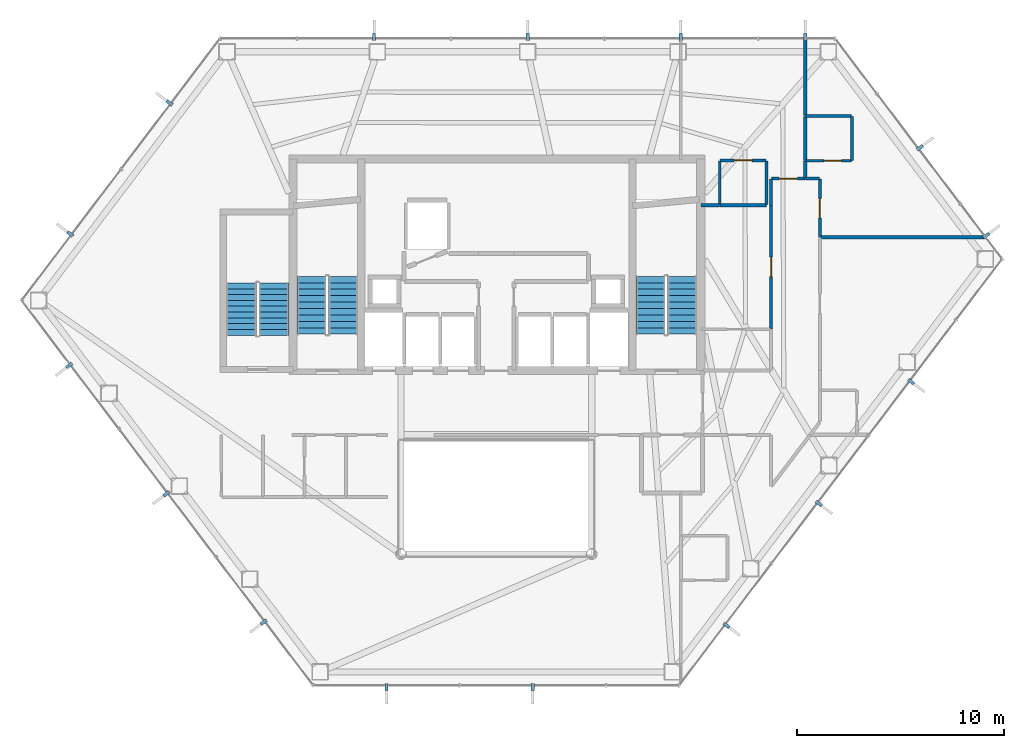
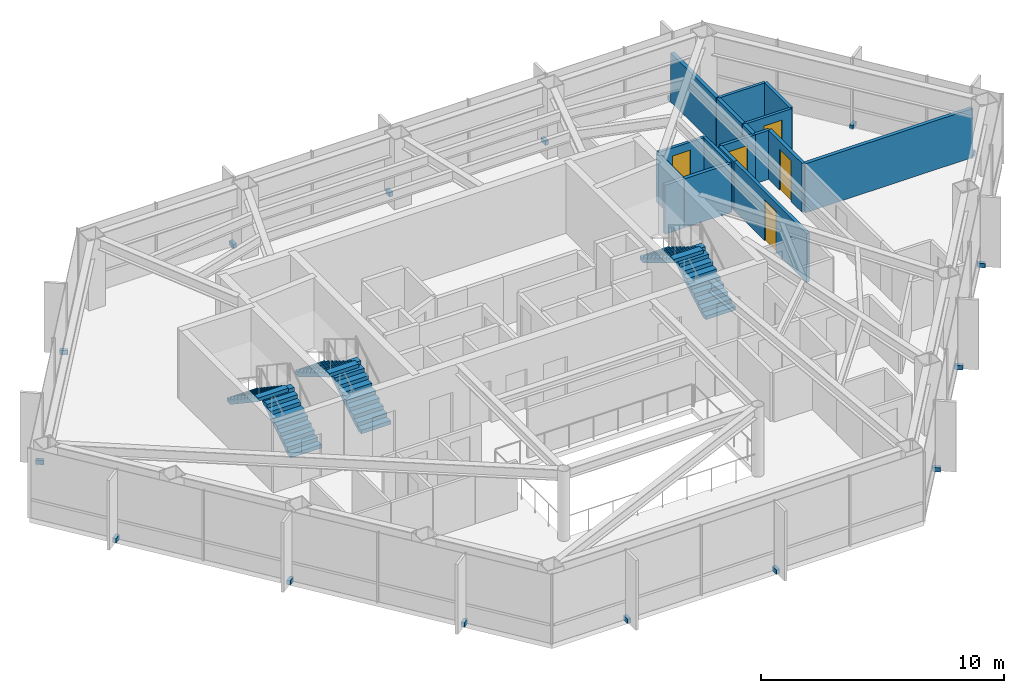
# One storey, part 27 of 28: 17 walls, 16 discrete accessories, 6 stair flights, 5 doors, 5 openings, 3 elements without a shape of their own.
"""IFC4 building model written with IfcOpenShell, lengths in metres."""

from ifc_helpers import new_model, si_unit, direction, frame, frame_2d, origin, origin_2d, place, context, subcontext, project, spatial, polyline, rectangle, outline, extrude, material, layer, layer_set, type_object, element, fill, aggregate, save


model = new_model("IFC4")

# Units and contexts
model_context = context("Model", 3, precision=1e-05, world=origin(), true_north=direction((0.0, 1.0)))
body_context = subcontext(model_context, "Body", "Model", "MODEL_VIEW")
ifc_project = project(units=[si_unit("LENGTHUNIT", "METRE"), si_unit("AREAUNIT", "SQUARE_METRE"), si_unit("VOLUMEUNIT", "CUBIC_METRE"), si_unit("PLANEANGLEUNIT", "RADIAN"), si_unit("MASSUNIT", "GRAM", prefix="KILO")], contexts=[model_context])

# Site, building, storey
site_placement = place(None, origin())
site = spatial("IfcSite", under=ifc_project, at=site_placement, CompositionType="ELEMENT")
building_placement = place(site_placement, origin())
building = spatial("IfcBuilding", under=site, at=building_placement, Name="Zarrinselat Tower", CompositionType="ELEMENT")
storey_placement = place(building_placement, frame((0.0, 0.0, 127.159912109375)))
storey = spatial("IfcBuildingStorey", under=building, at=storey_placement, Name="L30", CompositionType="ELEMENT", Elevation=127.159912109375)

# Walls
ifc_material_1 = material(Name="Fire-Rated Gypsum Board Partition", Category="gypsum")
ifc_layer_1 = layer(ifc_material_1, 0.1650390625)
ifc_layer_set_1 = layer_set([ifc_layer_1], Name="Fire-Rated Gypsum Board Partition")
wall_type_1 = type_object("IfcWallType", Name="WAL-PART-DEMISE", PredefinedType="PARTITIONING", material=ifc_layer_set_1)
wall_1_placement = place(storey_placement, frame((54.02001953125, 39.67822265625, 0.0), z_axis=(0.0, 0.0, 1.0), x_axis=(1.0, 0.0, 0.0)))
element("IfcWall", 1, at=wall_1_placement, inside=storey, type_object=wall_type_1, Name="L30 Partition Wall 53", PredefinedType="PARTITIONING", context=body_context, shape_type="SweptSolid", body=[
    extrude(rectangle(XDim=7.966552734375, YDim=0.1650390625, at=frame_2d((3.9833984375, 0.0))), origin(), (0.0, 0.0, 1.0), 2.45703125),
])
wall_2_placement = place(storey_placement, frame((53.300048828125, 42.52001953125, 0.0), z_axis=(0.0, 0.0, 1.0), x_axis=(0.0, 1.0, 0.0)))
element("IfcWall", 2, at=wall_2_placement, inside=storey, type_object=wall_type_1, Name="L30 Partition Wall 57", PredefinedType="PARTITIONING", context=body_context, shape_type="SweptSolid", body=[
    extrude(rectangle(XDim=0.827392578125, YDim=0.1650390625, at=frame_2d((0.41357421875, 0.0))), origin(), (0.0, 0.0, 1.0), 2.45703125),
])
wall_3_placement = place(storey_placement, frame((53.300048828125, 45.53759765625, 0.0), z_axis=(0.0, 0.0, 1.0), x_axis=(0.0, 1.0, 0.0)))
element("IfcWall", 3, at=wall_3_placement, inside=storey, type_object=wall_type_1, Name="L30 Partition Wall 58", PredefinedType="PARTITIONING", context=body_context, shape_type="SweptSolid", body=[
    extrude(rectangle(XDim=3.714111328125, YDim=0.1650390625, at=frame_2d((1.85693359375, 0.0))), origin(), (0.0, 0.0, 1.0), 2.45703125),
])
wall_4_placement = place(storey_placement, frame((53.300048828125, 43.387451171875, 0.0), z_axis=(0.0, 0.0, 1.0), x_axis=(0.0, 1.0, 0.0)))
element("IfcWall", 4, at=wall_4_placement, inside=storey, type_object=wall_type_1, Name="L30 Partition Wall 59", PredefinedType="PARTITIONING", context=body_context, shape_type="SweptSolid", body=[
    extrude(rectangle(XDim=2.110107421875, YDim=0.1650390625, at=frame_2d((1.05517578125, 0.0))), origin(), (0.0, 0.0, 1.0), 2.45703125),
])
wall_5_placement = place(storey_placement, frame((48.27490234375, 41.228271484375, 0.0), z_axis=(0.0, 0.0, 1.0), x_axis=(1.0, 0.0, 0.0)))
element("IfcWall", 5, at=wall_5_placement, inside=storey, type_object=wall_type_1, Name="L30 Partition Wall 61", PredefinedType="PARTITIONING", context=body_context, shape_type="SweptSolid", body=[
    extrude(rectangle(XDim=0.89501953125, YDim=0.1650390625, at=frame_2d((0.447509765625, 0.0))), origin(), (0.0, 0.0, 1.0), 2.45703125),
])
wall_6_placement = place(storey_placement, frame((49.179931640625, 41.228271484375, 0.0), z_axis=(0.0, 0.0, 1.0), x_axis=(1.0, 0.0, 0.0)))
element("IfcWall", 6, at=wall_6_placement, inside=storey, type_object=wall_type_1, Name="L30 Partition Wall 62", PredefinedType="PARTITIONING", context=body_context, shape_type="SweptSolid", body=[
    extrude(rectangle(XDim=2.239990234375, YDim=0.1650390625, at=frame_2d((1.1201171875, 0.0))), origin(), (0.0, 0.0, 1.0), 2.45703125),
])
ifc_material_2 = material(Name="Fire-Rated Gypsum Board Partition", Category="gypsum")
ifc_layer_2 = layer(ifc_material_2, 0.14990234375)
ifc_layer_set_2 = layer_set([ifc_layer_2], Name="Fire-Rated Gypsum Board Partition")
wall_type_2 = type_object("IfcWallType", Name="WAL-PART-EI60", PredefinedType="PARTITIONING", material=ifc_layer_set_2)
wall_7_placement = place(storey_placement, frame((53.304931640625, 42.5, 0.0), z_axis=(0.0, 0.0, 1.0), x_axis=(1.0, 0.0, 0.0)))
element("IfcWall", 7, at=wall_7_placement, inside=storey, type_object=wall_type_2, Name="L30 Partition Wall 27", PredefinedType="PARTITIONING", context=body_context, shape_type="SweptSolid", body=[
    extrude(rectangle(XDim=0.675048828125, YDim=0.14990234375, at=frame_2d((0.33740234375, 0.0))), origin(), (0.0, 0.0, 1.0), 2.45703125),
])

# Wall, opening, door
wall_8_placement = place(storey_placement, frame((54.0, 39.683349609375, 0.0), z_axis=(0.0, 0.0, 1.0), x_axis=(0.0, 1.0, 0.0)))
wall_8 = element("IfcWall", 8, at=wall_8_placement, inside=storey, type_object=wall_type_2, Name="L30 Partition Wall 28", PredefinedType="PARTITIONING", context=body_context, shape_type="SweptSolid", body=[
    extrude(rectangle(XDim=2.796630859375, YDim=0.14990234375, at=frame_2d((1.3984375, 0.0))), origin(), (0.0, 0.0, 1.0), 2.45703125),
])
opening_1_placement = place(wall_8_placement, frame((0.92822265625, 0.0, 0.0)))
opening_1 = element("IfcOpeningElement", 9, at=opening_1_placement, cuts=wall_8, Name="Opening ID-04", PredefinedType="OPENING", context=body_context, shape_type="SweptSolid", body=[
    extrude(rectangle(XDim=0.93994140625, YDim=2.050048828125, at=frame_2d((0.469970703125, 1.02490234375))), frame((0.0, 0.0849609375, 0.0), z_axis=(0.0, -1.0, 0.0), x_axis=(1.0, 0.0, 0.0)), (0.0, 0.0, 1.0), 0.169921875),
])
ifc_material_3 = material(Name="Fire-Rated Gypsum Board Partition")
door_type_1 = type_object("IfcDoorType", Name="DR-INT-FD30-ENT", OperationType="NOTDEFINED", PredefinedType="DOOR", material=ifc_material_3)
door_1_placement = place(opening_1_placement, origin())
door_1 = element("IfcDoor", 10, at=door_1_placement, inside=storey, type_object=door_type_1, Name="L30 Interior Door P28", OperationType="SINGLE_SWING_RIGHT", OverallHeight=2.050048828125, OverallWidth=0.93994140625, PredefinedType="DOOR", context=body_context, shape_type="SweptSolid", body=[
    extrude(rectangle(XDim=0.93994140625, YDim=2.050048828125, at=frame_2d((0.469970703125, 1.02490234375))), frame((0.0, 0.02490234375, 0.0), z_axis=(0.0, -1.0, 0.0), x_axis=(1.0, 0.0, 0.0)), (0.0, 0.0, 1.0), 0.050048828125),
])
fill(opening_1, door_1)

wall_9_placement = place(storey_placement, frame((51.64990234375, 35.24951171875, 0.0), z_axis=(0.0, 0.0, 1.0), x_axis=(0.0, 1.0, 0.0)))
wall_9 = element("IfcWall", 11, at=wall_9_placement, inside=storey, type_object=wall_type_2, Name="L30 Partition Wall 29", PredefinedType="PARTITIONING", context=body_context, shape_type="SweptSolid", body=[
    extrude(rectangle(XDim=5.993896484375, YDim=0.14990234375, at=frame_2d((2.9970703125, 0.0))), origin(), (0.0, 0.0, 1.0), 2.45703125),
])
opening_2_placement = place(wall_9_placement, frame((2.52685546875, 0.0, 0.0)))
opening_2 = element("IfcOpeningElement", 12, at=opening_2_placement, cuts=wall_9, Name="Opening ID-04", PredefinedType="OPENING", context=body_context, shape_type="SweptSolid", body=[
    extrude(rectangle(XDim=0.93994140625, YDim=2.050048828125, at=frame_2d((0.469970703125, 1.02490234375))), frame((0.0, 0.0849609375, 0.0), z_axis=(0.0, -1.0, 0.0), x_axis=(1.0, 0.0, 0.0)), (0.0, 0.0, 1.0), 0.169921875),
])
door_2_placement = place(opening_2_placement, origin())
door_2 = element("IfcDoor", 13, at=door_2_placement, inside=storey, type_object=door_type_1, Name="L30 Interior Door P29", OperationType="SINGLE_SWING_LEFT", OverallHeight=2.050048828125, OverallWidth=0.93994140625, PredefinedType="DOOR", context=body_context, shape_type="SweptSolid", body=[
    extrude(rectangle(XDim=0.93994140625, YDim=2.050048828125, at=frame_2d((0.469970703125, 1.02490234375))), frame((0.0, 0.02490234375, 0.0), z_axis=(0.0, -1.0, 0.0), x_axis=(1.0, 0.0, 0.0)), (0.0, 0.0, 1.0), 0.050048828125),
])
fill(opening_2, door_2)

# Wall
wall_10_placement = place(storey_placement, frame((51.64990234375, 41.21337890625, 0.0), z_axis=(0.0, 0.0, 1.0), x_axis=(0.0, 1.0, 0.0)))
element("IfcWall", 14, at=wall_10_placement, inside=storey, type_object=wall_type_2, Name="L30 Partition Wall 32", PredefinedType="PARTITIONING", context=body_context, shape_type="SweptSolid", body=[
    extrude(rectangle(XDim=1.2666015625, YDim=0.14990234375, at=frame_2d((0.63330078125, 0.0))), origin(), (0.0, 0.0, 1.0), 2.45703125),
])

# Wall, opening, door
wall_11_placement = place(storey_placement, frame((51.669921875, 42.5, 0.0), z_axis=(0.0, 0.0, 1.0), x_axis=(1.0, 0.0, 0.0)))
wall_11 = element("IfcWall", 15, at=wall_11_placement, inside=storey, type_object=wall_type_2, Name="L30 Partition Wall 33", PredefinedType="PARTITIONING", context=body_context, shape_type="SweptSolid", body=[
    extrude(rectangle(XDim=1.625, YDim=0.14990234375, at=frame_2d((0.8125, 0.0))), origin(), (0.0, 0.0, 1.0), 2.45703125),
])
opening_3_placement = place(wall_11_placement, frame((0.37255859375, 0.0, 0.0)))
opening_3 = element("IfcOpeningElement", 16, at=opening_3_placement, cuts=wall_11, Name="Opening ID-03", PredefinedType="OPENING", context=body_context, shape_type="SweptSolid", body=[
    extrude(rectangle(XDim=0.8798828125, YDim=2.050048828125, at=frame_2d((0.43994140625, 1.02490234375))), frame((0.0, 0.0849609375, 0.0), z_axis=(0.0, -1.0, 0.0), x_axis=(1.0, 0.0, 0.0)), (0.0, 0.0, 1.0), 0.169921875),
])
ifc_material_4 = material(Name="Steel S355J2", Category="steel")
door_type_2 = type_object("IfcDoorType", Name="DR-INT-FD60-S", OperationType="NOTDEFINED", PredefinedType="DOOR", material=ifc_material_4)
door_3_placement = place(opening_3_placement, origin())
door_3 = element("IfcDoor", 17, at=door_3_placement, inside=storey, type_object=door_type_2, Name="L30 Interior Door P33", OperationType="SINGLE_SWING_RIGHT", OverallHeight=2.050048828125, OverallWidth=0.8798828125, PredefinedType="DOOR", context=body_context, shape_type="SweptSolid", body=[
    extrude(rectangle(XDim=0.8798828125, YDim=2.050048828125, at=frame_2d((0.43994140625, 1.02490234375))), frame((0.0, 0.02490234375, 0.0), z_axis=(0.0, -1.0, 0.0), x_axis=(1.0, 0.0, 0.0)), (0.0, 0.0, 1.0), 0.050048828125),
])
fill(opening_3, door_3)

ifc_material_5 = material(Name="Fire-Rated Gypsum Board Partition", Category="gypsum")
ifc_layer_3 = layer(ifc_material_5, 0.135009765625)
ifc_layer_set_3 = layer_set([ifc_layer_3], Name="Fire-Rated Gypsum Board Partition")
wall_type_3 = type_object("IfcWallType", Name="WAL-PART-WET", PredefinedType="PARTITIONING", material=ifc_layer_set_3)
wall_12_placement = place(storey_placement, frame((53.320068359375, 43.367431640625, 0.0), z_axis=(0.0, 0.0, 1.0), x_axis=(1.0, 0.0, 0.0)))
wall_12 = element("IfcWall", 18, at=wall_12_placement, inside=storey, type_object=wall_type_3, Name="L30 Partition Wall 54", PredefinedType="PARTITIONING", context=body_context, shape_type="SweptSolid", body=[
    extrude(rectangle(XDim=2.2099609375, YDim=0.135009765625, at=frame_2d((1.10498046875, 0.0))), origin(), (0.0, 0.0, 1.0), 2.45703125),
])
opening_4_placement = place(wall_12_placement, frame((0.875, 0.0, 0.0)))
opening_4 = element("IfcOpeningElement", 19, at=opening_4_placement, cuts=wall_12, Name="Opening ID-06", PredefinedType="OPENING", context=body_context, shape_type="SweptSolid", body=[
    extrude(rectangle(XDim=0.860107421875, YDim=2.050048828125, at=frame_2d((0.43017578125, 1.02490234375))), frame((0.0, 0.077392578125, 0.0), z_axis=(0.0, -1.0, 0.0), x_axis=(1.0, 0.0, 0.0)), (0.0, 0.0, 1.0), 0.155029296875),
])
ifc_material_6 = material(Name="Extruded Aluminium Alloy EN AW-6063 T6", Category="aluminium")
door_type_3 = type_object("IfcDoorType", Name="DR-INT-WET-900", OperationType="NOTDEFINED", PredefinedType="DOOR", material=ifc_material_6)
door_4_placement = place(opening_4_placement, origin())
door_4 = element("IfcDoor", 20, at=door_4_placement, inside=storey, type_object=door_type_3, Name="L30 Interior Door P54", OperationType="SINGLE_SWING_LEFT", OverallHeight=2.050048828125, OverallWidth=0.860107421875, PredefinedType="DOOR", context=body_context, shape_type="SweptSolid", body=[
    extrude(rectangle(XDim=0.860107421875, YDim=2.050048828125, at=frame_2d((0.43017578125, 1.02490234375))), frame((0.0, 0.02490234375, 0.0), z_axis=(0.0, -1.0, 0.0), x_axis=(1.0, 0.0, 0.0)), (0.0, 0.0, 1.0), 0.050048828125),
])
fill(opening_4, door_4)

# Walls
wall_13_placement = place(storey_placement, frame((55.550048828125, 43.387451171875, 0.0), z_axis=(0.0, 0.0, 1.0), x_axis=(0.0, 1.0, 0.0)))
element("IfcWall", 21, at=wall_13_placement, inside=storey, type_object=wall_type_3, Name="L30 Partition Wall 55", PredefinedType="PARTITIONING", context=body_context, shape_type="SweptSolid", body=[
    extrude(rectangle(XDim=2.110107421875, YDim=0.135009765625, at=frame_2d((1.05517578125, 0.0))), origin(), (0.0, 0.0, 1.0), 2.45703125),
])
wall_14_placement = place(storey_placement, frame((53.320068359375, 45.517578125, 0.0), z_axis=(0.0, 0.0, 1.0), x_axis=(1.0, 0.0, 0.0)))
element("IfcWall", 22, at=wall_14_placement, inside=storey, type_object=wall_type_3, Name="L30 Partition Wall 56", PredefinedType="PARTITIONING", context=body_context, shape_type="SweptSolid", body=[
    extrude(rectangle(XDim=2.2099609375, YDim=0.135009765625, at=frame_2d((1.10498046875, 0.0))), origin(), (0.0, 0.0, 1.0), 2.45703125),
])
wall_15_placement = place(storey_placement, frame((51.425048828125, 41.248291015625, 0.0), z_axis=(0.0, 0.0, 1.0), x_axis=(0.0, 1.0, 0.0)))
element("IfcWall", 23, at=wall_15_placement, inside=storey, type_object=wall_type_3, Name="L30 Partition Wall 63", PredefinedType="PARTITIONING", context=body_context, shape_type="SweptSolid", body=[
    extrude(rectangle(XDim=2.110107421875, YDim=0.135009765625, at=frame_2d((1.05517578125, 0.0))), origin(), (0.0, 0.0, 1.0), 2.45703125),
])

# Wall, opening, door
wall_16_placement = place(storey_placement, frame((49.195068359375, 43.37841796875, 0.0), z_axis=(0.0, 0.0, 1.0), x_axis=(1.0, 0.0, 0.0)))
wall_16 = element("IfcWall", 24, at=wall_16_placement, inside=storey, type_object=wall_type_3, Name="L30 Partition Wall 64", PredefinedType="PARTITIONING", context=body_context, shape_type="SweptSolid", body=[
    extrude(rectangle(XDim=2.2099609375, YDim=0.135009765625, at=frame_2d((1.10498046875, 0.0))), origin(), (0.0, 0.0, 1.0), 2.45703125),
])
opening_5_placement = place(wall_16_placement, frame((0.675048828125, 0.0, 0.0)))
opening_5 = element("IfcOpeningElement", 25, at=opening_5_placement, cuts=wall_16, Name="Opening ID-06", PredefinedType="OPENING", context=body_context, shape_type="SweptSolid", body=[
    extrude(rectangle(XDim=0.860107421875, YDim=2.050048828125, at=frame_2d((0.43017578125, 1.02490234375))), frame((0.0, 0.077392578125, 0.0), z_axis=(0.0, -1.0, 0.0), x_axis=(1.0, 0.0, 0.0)), (0.0, 0.0, 1.0), 0.155029296875),
])
door_5_placement = place(opening_5_placement, origin())
door_5 = element("IfcDoor", 26, at=door_5_placement, inside=storey, type_object=door_type_3, Name="L30 Interior Door P64", OperationType="SINGLE_SWING_LEFT", OverallHeight=2.050048828125, OverallWidth=0.860107421875, PredefinedType="DOOR", context=body_context, shape_type="SweptSolid", body=[
    extrude(rectangle(XDim=0.860107421875, YDim=2.050048828125, at=frame_2d((0.43017578125, 1.02490234375))), frame((0.0, 0.02490234375, 0.0), z_axis=(0.0, -1.0, 0.0), x_axis=(1.0, 0.0, 0.0)), (0.0, 0.0, 1.0), 0.050048828125),
])
fill(opening_5, door_5)

# Wall
wall_17_placement = place(storey_placement, frame((49.175048828125, 41.248291015625, 0.0), z_axis=(0.0, 0.0, 1.0), x_axis=(0.0, 1.0, 0.0)))
element("IfcWall", 27, at=wall_17_placement, inside=storey, type_object=wall_type_3, Name="L30 Partition Wall 65", PredefinedType="PARTITIONING", context=body_context, shape_type="SweptSolid", body=[
    extrude(rectangle(XDim=2.110107421875, YDim=0.135009765625, at=frame_2d((1.05517578125, 0.0))), origin(), (0.0, 0.0, 1.0), 2.45703125),
])

# Stair, stair flights
ifc_material_7 = material(Name="Concrete C40/50", Category="concrete")
stair_type_1 = type_object("IfcStairType", Name="STR-CORE-145", PredefinedType="HALF_TURN_STAIR", material=ifc_material_7)
stair_1_placement = place(storey_placement, origin())
stair_1 = element("IfcStair", 28, at=stair_1_placement, inside=storey, type_object=stair_type_1, Name="L30 Podium & Mid-Tower Exit Stair 3", PredefinedType="HALF_TURN_STAIR")
ifc_material_8 = material(Name="Concrete C40/50", Category="concrete")
stair_flight_type_1 = type_object("IfcStairFlightType", Name="STR-FLT-145", PredefinedType="STRAIGHT", material=ifc_material_8)
stair_flight_1_placement = place(storey_placement, frame((27.675048828125, 34.949951171875, 0.0), z_axis=(0.0, 0.0, 1.0), x_axis=(0.0, 1.0, 0.0)))
stair_flight_1 = element("IfcStairFlight", 29, at=stair_flight_1_placement, type_object=stair_flight_type_1, Name="ST-3 flight 1", NumberOfRisers=10, NumberOfTreads=9, PredefinedType="STRAIGHT", RiserHeight=0.187, TreadLength=0.28, context=body_context, shape_type="SweptSolid", body=[
    extrude(outline(polyline([(0.0, 0.0), (0.0, 0.18701171875), (0.280029296875, 0.18701171875), (0.280029296875, 0.3740234375), (0.56005859375, 0.3740234375), (0.56005859375, 0.56103515625), (0.840087890625, 0.56103515625), (0.840087890625, 0.748046875), (1.1201171875, 0.748046875), (1.1201171875, 0.93505859375), (1.39990234375, 0.93505859375), (1.39990234375, 1.1220703125), (1.679931640625, 1.1220703125), (1.679931640625, 1.30908203125), (1.9599609375, 1.30908203125), (1.9599609375, 1.49609375), (2.239990234375, 1.49609375), (2.239990234375, 1.68310546875), (2.52001953125, 1.68310546875), (2.52001953125, 1.8701171875), (2.52001953125, 1.502685546875), (0.27001953125, 0.0), (0.0, 0.0)])), frame((0.0, 0.72509765625, 0.0), z_axis=(0.0, -1.0, 0.0), x_axis=(1.0, 0.0, 0.0)), (0.0, 0.0, 1.0), 1.449951171875),
])
stair_flight_2_placement = place(storey_placement, frame((26.10498046875, 37.469970703125, 1.8701171875), z_axis=(0.0, 0.0, 1.0), x_axis=(0.0, -1.0, 0.0)))
stair_flight_2 = element("IfcStairFlight", 30, at=stair_flight_2_placement, type_object=stair_flight_type_1, Name="ST-3 flight 2", NumberOfRisers=10, NumberOfTreads=9, PredefinedType="STRAIGHT", RiserHeight=0.187, TreadLength=0.28, context=body_context, shape_type="SweptSolid", body=[
    extrude(outline(polyline([(0.0, 0.0), (0.0, 0.18701171875), (0.280029296875, 0.18701171875), (0.280029296875, 0.3740234375), (0.56005859375, 0.3740234375), (0.56005859375, 0.56103515625), (0.840087890625, 0.56103515625), (0.840087890625, 0.748046875), (1.1201171875, 0.748046875), (1.1201171875, 0.93505859375), (1.39990234375, 0.93505859375), (1.39990234375, 1.1220703125), (1.679931640625, 1.1220703125), (1.679931640625, 1.30908203125), (1.9599609375, 1.30908203125), (1.9599609375, 1.49609375), (2.239990234375, 1.49609375), (2.239990234375, 1.68310546875), (2.52001953125, 1.68310546875), (2.52001953125, 1.8701171875), (2.52001953125, 1.502685546875), (0.27001953125, 0.0), (0.0, 0.0)])), frame((0.0, 0.72509765625, 0.0), z_axis=(0.0, -1.0, 0.0), x_axis=(1.0, 0.0, 0.0)), (0.0, 0.0, 1.0), 1.449951171875),
])
aggregate(stair_1, [stair_flight_1, stair_flight_2])

ifc_material_9 = material(Name="Concrete C40/50", Category="concrete")
stair_type_2 = type_object("IfcStairType", Name="STR-CORE-155", PredefinedType="HALF_TURN_STAIR", material=ifc_material_9)
stair_2_placement = place(storey_placement, origin())
stair_2 = element("IfcStair", 31, at=stair_2_placement, inside=storey, type_object=stair_type_2, Name="L30 Core Exit Stair 1", PredefinedType="HALF_TURN_STAIR")
ifc_material_10 = material(Name="Concrete C40/50", Category="concrete")
stair_flight_type_2 = type_object("IfcStairFlightType", Name="STR-FLT-155", PredefinedType="STRAIGHT", material=ifc_material_10)
stair_flight_3_placement = place(storey_placement, frame((31.02001953125, 35.0, 0.0), z_axis=(0.0, 0.0, 1.0), x_axis=(0.0, 1.0, 0.0)))
stair_flight_3 = element("IfcStairFlight", 32, at=stair_flight_3_placement, type_object=stair_flight_type_2, Name="ST-1 flight 1", NumberOfRisers=10, NumberOfTreads=9, PredefinedType="STRAIGHT", RiserHeight=0.187, TreadLength=0.31, context=body_context, shape_type="SweptSolid", body=[
    extrude(outline(polyline([(0.0, 0.0), (0.0, 0.18701171875), (0.31005859375, 0.18701171875), (0.31005859375, 0.3740234375), (0.6201171875, 0.3740234375), (0.6201171875, 0.56103515625), (0.929931640625, 0.56103515625), (0.929931640625, 0.748046875), (1.239990234375, 0.748046875), (1.239990234375, 0.93505859375), (1.550048828125, 0.93505859375), (1.550048828125, 1.1220703125), (1.860107421875, 1.1220703125), (1.860107421875, 1.30908203125), (2.169921875, 1.30908203125), (2.169921875, 1.49609375), (2.47998046875, 1.49609375), (2.47998046875, 1.68310546875), (2.7900390625, 1.68310546875), (2.7900390625, 1.8701171875), (2.7900390625, 1.508056640625), (0.290283203125, 0.0), (0.0, 0.0)])), frame((0.0, 0.699951171875, 0.0), z_axis=(0.0, -1.0, 0.0), x_axis=(1.0, 0.0, 0.0)), (0.0, 0.0, 1.0), 1.39990234375),
])
stair_flight_4_placement = place(storey_placement, frame((29.5, 37.7900390625, 1.8701171875), z_axis=(0.0, 0.0, 1.0), x_axis=(0.0, -1.0, 0.0)))
stair_flight_4 = element("IfcStairFlight", 33, at=stair_flight_4_placement, type_object=stair_flight_type_2, Name="ST-1 flight 2", NumberOfRisers=10, NumberOfTreads=9, PredefinedType="STRAIGHT", RiserHeight=0.187, TreadLength=0.31, context=body_context, shape_type="SweptSolid", body=[
    extrude(outline(polyline([(0.0, 0.0), (0.0, 0.18701171875), (0.31005859375, 0.18701171875), (0.31005859375, 0.3740234375), (0.6201171875, 0.3740234375), (0.6201171875, 0.56103515625), (0.929931640625, 0.56103515625), (0.929931640625, 0.748046875), (1.239990234375, 0.748046875), (1.239990234375, 0.93505859375), (1.550048828125, 0.93505859375), (1.550048828125, 1.1220703125), (1.860107421875, 1.1220703125), (1.860107421875, 1.30908203125), (2.169921875, 1.30908203125), (2.169921875, 1.49609375), (2.47998046875, 1.49609375), (2.47998046875, 1.68310546875), (2.7900390625, 1.68310546875), (2.7900390625, 1.8701171875), (2.7900390625, 1.508056640625), (0.290283203125, 0.0), (0.0, 0.0)])), frame((0.0, 0.699951171875, 0.0), z_axis=(0.0, -1.0, 0.0), x_axis=(1.0, 0.0, 0.0)), (0.0, 0.0, 1.0), 1.39990234375),
])
aggregate(stair_2, [stair_flight_3, stair_flight_4])

stair_3_placement = place(storey_placement, origin())
stair_3 = element("IfcStair", 34, at=stair_3_placement, inside=storey, type_object=stair_type_2, Name="L30 Core Exit Stair 2", PredefinedType="HALF_TURN_STAIR")
stair_flight_5_placement = place(storey_placement, frame((47.360107421875, 35.0, 0.0), z_axis=(0.0, 0.0, 1.0), x_axis=(0.0, 1.0, 0.0)))
stair_flight_5 = element("IfcStairFlight", 35, at=stair_flight_5_placement, type_object=stair_flight_type_2, Name="ST-2 flight 1", NumberOfRisers=10, NumberOfTreads=9, PredefinedType="STRAIGHT", RiserHeight=0.187, TreadLength=0.31, context=body_context, shape_type="SweptSolid", body=[
    extrude(outline(polyline([(0.0, 0.0), (0.0, 0.18701171875), (0.31005859375, 0.18701171875), (0.31005859375, 0.3740234375), (0.6201171875, 0.3740234375), (0.6201171875, 0.56103515625), (0.929931640625, 0.56103515625), (0.929931640625, 0.748046875), (1.239990234375, 0.748046875), (1.239990234375, 0.93505859375), (1.550048828125, 0.93505859375), (1.550048828125, 1.1220703125), (1.860107421875, 1.1220703125), (1.860107421875, 1.30908203125), (2.169921875, 1.30908203125), (2.169921875, 1.49609375), (2.47998046875, 1.49609375), (2.47998046875, 1.68310546875), (2.7900390625, 1.68310546875), (2.7900390625, 1.8701171875), (2.7900390625, 1.508056640625), (0.290283203125, 0.0), (0.0, 0.0)])), frame((0.0, 0.699951171875, 0.0), z_axis=(0.0, -1.0, 0.0), x_axis=(1.0, 0.0, 0.0)), (0.0, 0.0, 1.0), 1.39990234375),
])
stair_flight_6_placement = place(storey_placement, frame((45.840087890625, 37.7900390625, 1.8701171875), z_axis=(0.0, 0.0, 1.0), x_axis=(0.0, -1.0, 0.0)))
stair_flight_6 = element("IfcStairFlight", 36, at=stair_flight_6_placement, type_object=stair_flight_type_2, Name="ST-2 flight 2", NumberOfRisers=10, NumberOfTreads=9, PredefinedType="STRAIGHT", RiserHeight=0.187, TreadLength=0.31, context=body_context, shape_type="SweptSolid", body=[
    extrude(outline(polyline([(0.0, 0.0), (0.0, 0.18701171875), (0.31005859375, 0.18701171875), (0.31005859375, 0.3740234375), (0.6201171875, 0.3740234375), (0.6201171875, 0.56103515625), (0.929931640625, 0.56103515625), (0.929931640625, 0.748046875), (1.239990234375, 0.748046875), (1.239990234375, 0.93505859375), (1.550048828125, 0.93505859375), (1.550048828125, 1.1220703125), (1.860107421875, 1.1220703125), (1.860107421875, 1.30908203125), (2.169921875, 1.30908203125), (2.169921875, 1.49609375), (2.47998046875, 1.49609375), (2.47998046875, 1.68310546875), (2.7900390625, 1.68310546875), (2.7900390625, 1.8701171875), (2.7900390625, 1.508056640625), (0.290283203125, 0.0), (0.0, 0.0)])), frame((0.0, 0.699951171875, 0.0), z_axis=(0.0, -1.0, 0.0), x_axis=(1.0, 0.0, 0.0)), (0.0, 0.0, 1.0), 1.39990234375),
])
aggregate(stair_3, [stair_flight_5, stair_flight_6])

# Discrete accessories
ifc_material_11 = material(Name="Steel S355J2", Category="steel")
discrete_accessory_type = type_object("IfcDiscreteAccessoryType", Name="ACC-FIN-BRACKET", PredefinedType="BRACKET", material=ifc_material_11)
for number, where, z_axis, x_axis, name in (
    (37, (53.300048828125, 49.336669921875, -0.0498046875), (0.0, 0.0, 1.0), (0.0, 1.0, 0.0), "L30 Fin Fixing Bracket CW-L30-E01-01"),
    (38, (47.300048828125, 49.336669921875, -0.0498046875), (0.0, 0.0, 1.0), (0.0, 1.0, 0.0), "L30 Fin Fixing Bracket CW-L30-E01-03"),
    (39, (39.91552734375, 49.336669921875, -0.0498046875), (0.0, 0.0, 1.0), (0.0, 1.0, 0.0), "L30 Fin Fixing Bracket CW-L30-E01-05"),
    (40, (32.504638671875, 49.336669921875, -0.0498046875), (0.0, 0.0, 1.0), (0.0, 1.0, 0.0), "L30 Fin Fixing Bracket CW-L30-E01-07"),
    (41, (22.644287109375, 46.149658203125, -0.0498046875), (0.0, 0.0, 1.0), (-0.797091872172, 0.603858052292, 0.0), "L30 Fin Fixing Bracket CW-L30-E02-01"),
    (42, (17.857177734375, 39.830810546875, -0.0498046875), (0.0, 0.0, 1.0), (-0.797091872172, 0.603858052292, 0.0), "L30 Fin Fixing Bracket CW-L30-E02-03"),
    (43, (17.8076171875, 33.492919921875, -0.0498046875), (0.0, 0.0, 1.0), (-0.797091647094, -0.603858349394, 0.0), "L30 Fin Fixing Bracket CW-L30-E03-01"),
    (44, (22.4951171875, 27.305419921875, -0.0498046875), (0.0, 0.0, 1.0), (-0.797091647094, -0.603858349394, 0.0), "L30 Fin Fixing Bracket CW-L30-E03-03"),
    (45, (27.1826171875, 21.117919921875, -0.0498046875), (0.0, 0.0, 1.0), (-0.797091647094, -0.603858349394, 0.0), "L30 Fin Fixing Bracket CW-L30-E03-05"),
    (46, (33.109375, 17.996337890625, -0.0498046875), (0.0, 0.0, 1.0), (0.0, -1.0, 0.0), "L30 Fin Fixing Bracket CW-L30-E04-01"),
    (47, (40.16357421875, 17.996337890625, -0.0498046875), (0.0, 0.0, 1.0), (0.0, -1.0, 0.0), "L30 Fin Fixing Bracket CW-L30-E04-03"),
    (48, (49.499267578125, 20.961669921875, -0.0498046875), (0.0, 0.0, 1.0), (0.797091808926, -0.603858135777, 0.0), "L30 Fin Fixing Bracket CW-L30-E05-01"),
    (49, (53.9501953125, 26.8369140625, -0.0498046875), (0.0, 0.0, 1.0), (0.797091808926, -0.603858135777, 0.0), "L30 Fin Fixing Bracket CW-L30-E05-03"),
    (50, (58.40087890625, 32.7119140625, -0.0498046875), (0.0, 0.0, 1.0), (0.797091808926, -0.603858135777, 0.0), "L30 Fin Fixing Bracket CW-L30-E05-05"),
    (51, (62.02978515625, 39.7568359375, -0.0498046875), (0.0, 0.0, 1.0), (0.79709160167, 0.603858409354, 0.0), "L30 Fin Fixing Bracket CW-L30-E06-01"),
    (52, (58.82275390625, 43.990478515625, -0.0498046875), (0.0, 0.0, 1.0), (0.79709160167, 0.603858409354, 0.0), "L30 Fin Fixing Bracket CW-L30-E06-03"),
):
    element("IfcDiscreteAccessory", number, at=place(storey_placement, frame(where, z_axis=z_axis, x_axis=x_axis)), inside=storey, type_object=discrete_accessory_type, Name=name, PredefinedType="BRACKET", context=body_context, shape_type="SweptSolid", body=[
        extrude(rectangle(XDim=0.340087890625, YDim=0.159912109375, at=origin_2d()), origin(), (0.0, 0.0, 1.0), 0.219970703125),
    ])

save(model, "model.ifc")
